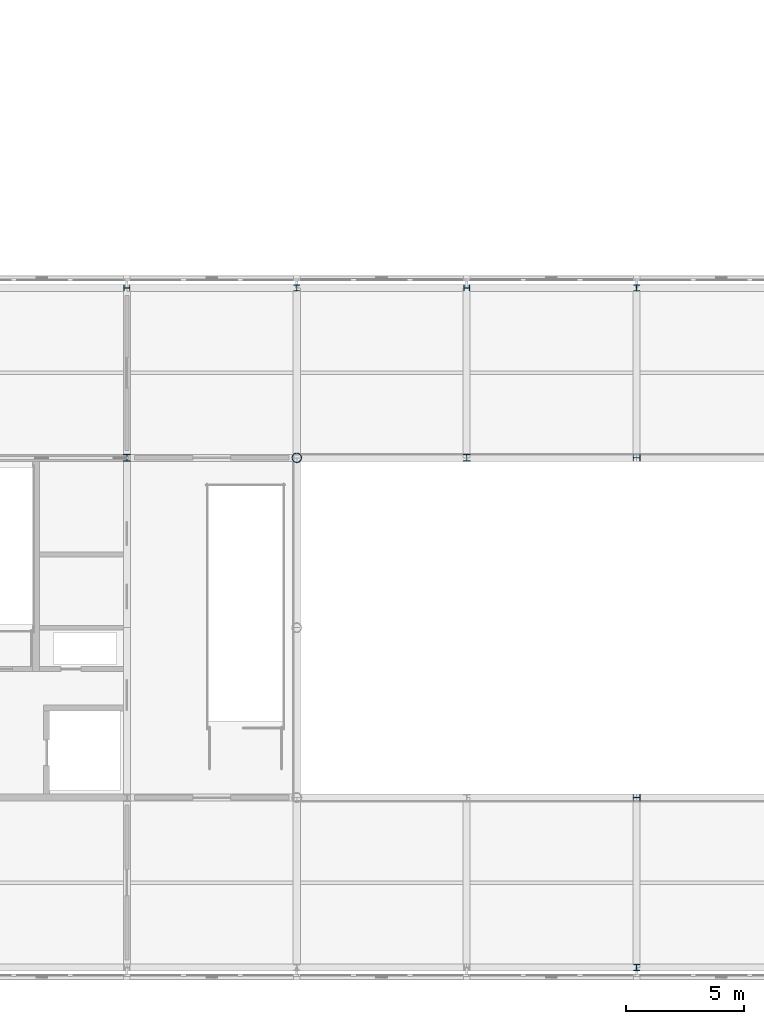
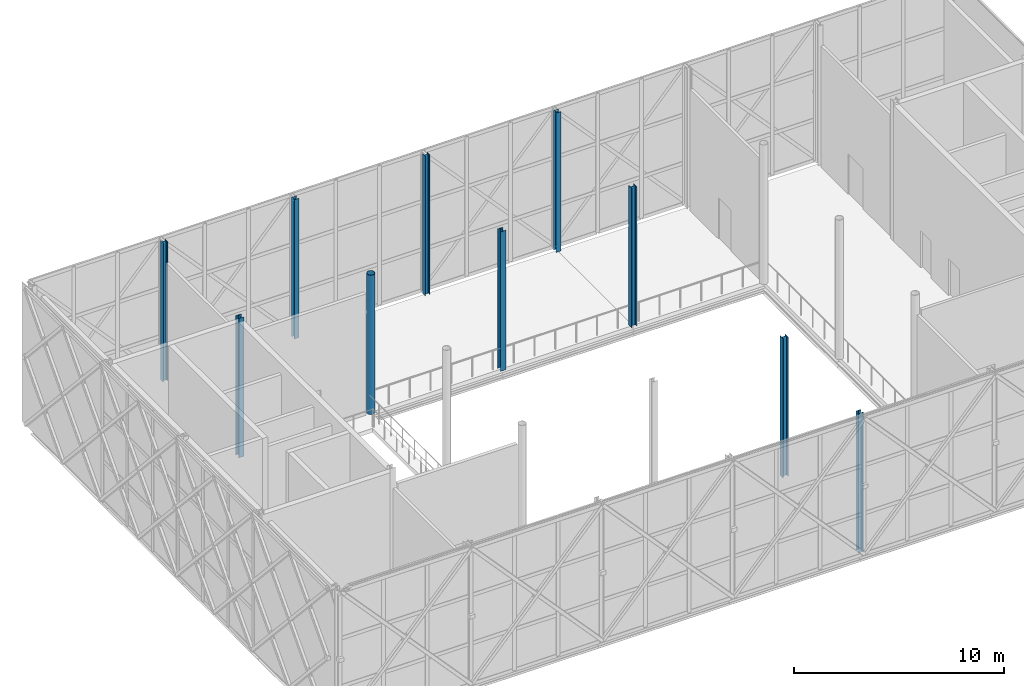
# One storey, part 2 of 76: 10 columns.
"""IFC4 building model written with IfcOpenShell, lengths in metres."""

from ifc_helpers import new_model, si_unit, direction, frame, origin, origin_2d, place, context, subcontext, project, spatial, hollow_circle, i_section, extrude, material, material_profile, profile_set, type_object, element, save


model = new_model("IFC4")

# Units and contexts
model_context = context("Model", 3, precision=1e-05, world=origin(), true_north=direction((0.0, 1.0)))
body_context = subcontext(model_context, "Body", "Model", "MODEL_VIEW")
ifc_project = project(units=[si_unit("LENGTHUNIT", "METRE"), si_unit("AREAUNIT", "SQUARE_METRE"), si_unit("VOLUMEUNIT", "CUBIC_METRE"), si_unit("PLANEANGLEUNIT", "RADIAN"), si_unit("MASSUNIT", "GRAM", prefix="KILO")], contexts=[model_context])

# Site, building, storey
site_placement = place(None, origin())
site = spatial("IfcSite", under=ifc_project, at=site_placement, CompositionType="ELEMENT")
building_placement = place(site_placement, origin())
building = spatial("IfcBuilding", under=site, at=building_placement, Name="Zlatovets Crest Museum", CompositionType="ELEMENT")
storey_placement = place(building_placement, frame((0.0, 0.0, 17.10009765625)))
storey = spatial("IfcBuildingStorey", under=building, at=storey_placement, Name="L04", CompositionType="ELEMENT", Elevation=17.10009765625)

# Columns
ifc_material = material(Name="Structural steel S355J2", Category="steel")
ifc_material_profile_1 = material_profile(ifc_material, i_section(OverallWidth=0.300048828125, OverallDepth=0.300048828125, WebThickness=0.010986328125, FlangeThickness=0.01904296875, FilletRadius=0.027099609375, at=origin_2d()), Name="HEB 300")
ifc_profile_set_1 = profile_set([ifc_material_profile_1], Name="Structural steel S355J2")
column_type_1 = type_object("IfcColumnType", Name="Col_C-09", PredefinedType="COLUMN", material=ifc_profile_set_1)
for number, where, z_axis, x_axis, name in (
    (1, (64.800048828125, 21.60009765625, 0.0), (0.0, 0.0, 1.0), (1.0, 0.0, 0.0), "V2 L04 Column (64.8, 21.6)"),
    (2, (79.199951171875, 21.60009765625, 0.0), (0.0, 0.0, 1.0), (1.0, 0.0, 0.0), "V2 L04 Column (79.2, 21.6)"),
    (3, (86.39990234375, 7.199951171875, 0.0), (0.0, 0.0, 1.0), (0.0, 1.0, 0.0), "V2 L04 Column (86.4, 7.2)"),
    (4, (86.39990234375, 21.60009765625, 0.0), (0.0, 0.0, 1.0), (0.0, 1.0, 0.0), "V2 L04 Column (86.4, 21.6)"),
):
    element("IfcColumn", number, at=place(storey_placement, frame(where, z_axis=z_axis, x_axis=x_axis)), inside=storey, type_object=column_type_1, Name=name, PredefinedType="COLUMN", context=body_context, shape_type="SweptSolid", body=[
        extrude(i_section(OverallWidth=0.300048828125, OverallDepth=0.300048828125, WebThickness=0.010986328125, FlangeThickness=0.01904296875, FilletRadius=0.027099609375, at=origin_2d()), origin(), (0.0, 0.0, 1.0), 8.099853515625),
    ])
ifc_material_profile_2 = material_profile(ifc_material, i_section(OverallWidth=0.260009765625, OverallDepth=0.260009765625, WebThickness=0.010009765625, FlangeThickness=0.017578125, FilletRadius=0.02392578125, at=origin_2d()), Name="HEB 260")
ifc_profile_set_2 = profile_set([ifc_material_profile_2], Name="Structural steel S355J2")
column_type_2 = type_object("IfcColumnType", Name="Col_C-10", PredefinedType="COLUMN", material=ifc_profile_set_2)
for number, where, z_axis, x_axis, name in (
    (5, (64.800048828125, 28.800048828125, 0.0), (0.0, 0.0, 1.0), (0.0, 1.0, 0.0), "V2 L04 Column (64.8, 28.8)"),
    (6, (72.0, 28.800048828125, 0.0), (0.0, 0.0, 1.0), (1.0, 0.0, 0.0), "V2 L04 Column (72.0, 28.8)"),
    (7, (79.199951171875, 28.800048828125, 0.0), (0.0, 0.0, 1.0), (0.0, 1.0, 0.0), "V2 L04 Column (79.2, 28.8)"),
    (8, (86.39990234375, 0.0, 0.0), (0.0, 0.0, 1.0), (1.0, 0.0, 0.0), "V2 L04 Column (86.4, 0.0)"),
    (9, (86.39990234375, 28.800048828125, 0.0), (0.0, 0.0, 1.0), (1.0, 0.0, 0.0), "V2 L04 Column (86.4, 28.8)"),
):
    element("IfcColumn", number, at=place(storey_placement, frame(where, z_axis=z_axis, x_axis=x_axis)), inside=storey, type_object=column_type_2, Name=name, PredefinedType="COLUMN", context=body_context, shape_type="SweptSolid", body=[
        extrude(i_section(OverallWidth=0.260009765625, OverallDepth=0.260009765625, WebThickness=0.010009765625, FlangeThickness=0.017578125, FilletRadius=0.02392578125, at=origin_2d()), origin(), (0.0, 0.0, 1.0), 8.099853515625),
    ])
ifc_material_profile_3 = material_profile(ifc_material, hollow_circle(Radius=0.203125, WallThickness=0.01611328125, at=origin_2d()), Name="CHS 406.4x16.0")
ifc_profile_set_3 = profile_set([ifc_material_profile_3], Name="Structural steel S355J2")
column_type_3 = type_object("IfcColumnType", Name="Col_C-12", PredefinedType="COLUMN", material=ifc_profile_set_3)
column_placement = place(storey_placement, frame((72.0, 21.60009765625, 0.0), z_axis=(0.0, 0.0, 1.0), x_axis=(0.0, 1.0, 0.0)))
element("IfcColumn", 10, at=column_placement, inside=storey, type_object=column_type_3, Name="V2 L04 Column (72.0, 21.6)", PredefinedType="COLUMN", context=body_context, shape_type="SweptSolid", body=[
    extrude(hollow_circle(Radius=0.203125, WallThickness=0.01611328125, at=origin_2d()), origin(), (0.0, 0.0, 1.0), 8.099853515625),
])

save(model, "model.ifc")
